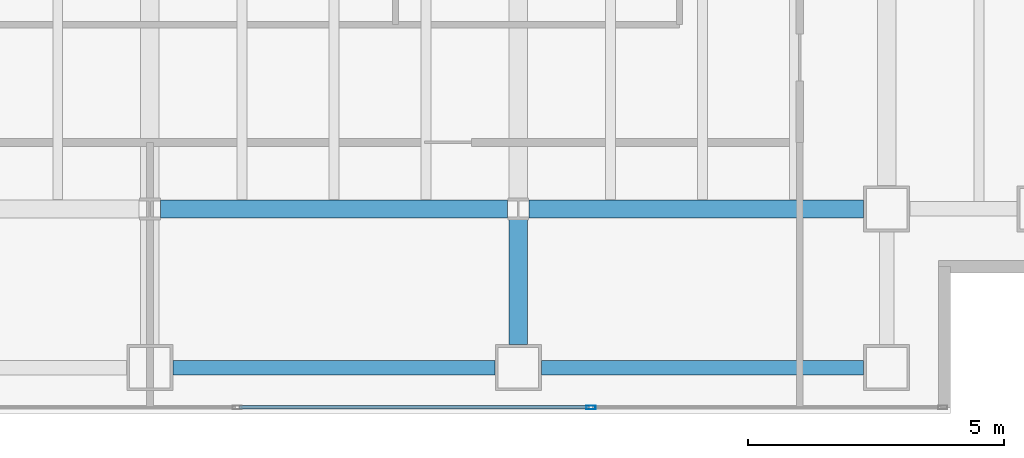
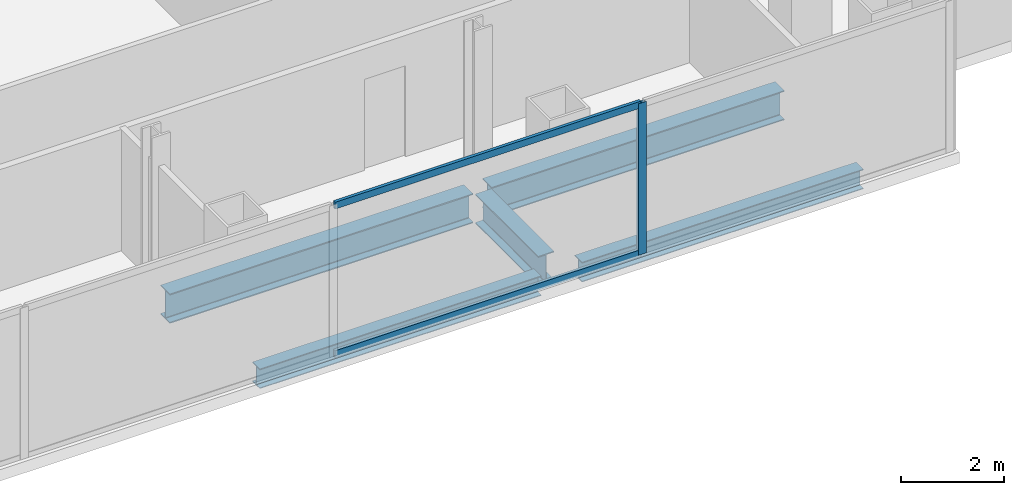
# One storey, part 9 of 23: 5 beams, 3 members, 1 element without a shape of its own.
"""IFC4 building model written with IfcOpenShell, lengths in metres."""

from ifc_helpers import new_model, si_unit, direction, frame, origin, origin_2d, place, context, subcontext, project, spatial, hollow_rectangle, i_section, extrude, material, material_profile, profile_set, type_object, element, aggregate, save


model = new_model("IFC4")

# Units and contexts
model_context = context("Model", 3, precision=1e-05, world=origin(), true_north=direction((0.0, 1.0)))
body_context = subcontext(model_context, "Body", "Model", "MODEL_VIEW")
ifc_project = project(units=[si_unit("LENGTHUNIT", "METRE"), si_unit("AREAUNIT", "SQUARE_METRE"), si_unit("VOLUMEUNIT", "CUBIC_METRE"), si_unit("PLANEANGLEUNIT", "RADIAN"), si_unit("MASSUNIT", "GRAM", prefix="KILO")], contexts=[model_context])

# Site, building, storey
site_placement = place(None, origin())
site = spatial("IfcSite", under=ifc_project, at=site_placement, CompositionType="ELEMENT")
building_placement = place(site_placement, origin())
building = spatial("IfcBuilding", under=site, at=building_placement, Name="Cobrela Telecom Tower", CompositionType="ELEMENT")
storey_placement = place(building_placement, frame((0.0, 0.0, 125.300048828125)))
storey = spatial("IfcBuildingStorey", under=building, at=storey_placement, Name="L31", CompositionType="ELEMENT", Elevation=125.300048828125)

# Beams
ifc_material_1 = material(Name="Steel ASTM A992 Grade 50", Category="steel")
ifc_material_profile_1 = material_profile(ifc_material_1, i_section(OverallWidth=0.35595703125, OverallDepth=0.696044921875, WebThickness=0.015380859375, FlangeThickness=0.024658203125, FilletRadius=0.01806640625, at=origin_2d()), Name="W27X146")
ifc_profile_set_1 = profile_set([ifc_material_profile_1], Name="Steel ASTM A992 Grade 50")
beam_type_1 = type_object("IfcBeamType", Name="BM-GIRD-05", PredefinedType="USERDEFINED", material=ifc_profile_set_1)
beam_1_placement = place(storey_placement, frame((29.009521484375, 7.199951171875, -0.6181640625), z_axis=(1.0, 0.0, 0.0), x_axis=(0.0, 1.0, 0.0)))
element("IfcBeam", 1, at=beam_1_placement, inside=storey, type_object=beam_type_1, Name="L31 Primary Girder X10", ObjectType="GIRDER", PredefinedType="USERDEFINED", context=body_context, shape_type="SweptSolid", body=[
    extrude(i_section(OverallWidth=0.35595703125, OverallDepth=0.696044921875, WebThickness=0.015380859375, FlangeThickness=0.024658203125, FilletRadius=0.01806640625, at=origin_2d()), origin(), (0.0, 0.0, 1.0), 6.781005859375),
])
beam_2_placement = place(storey_placement, frame((36.20947265625, 7.199951171875, -0.6181640625), z_axis=(1.0, 0.0, 0.0), x_axis=(0.0, 1.0, 0.0)))
element("IfcBeam", 2, at=beam_2_placement, inside=storey, type_object=beam_type_1, Name="L31 Primary Girder X11", ObjectType="GIRDER", PredefinedType="USERDEFINED", context=body_context, shape_type="SweptSolid", body=[
    extrude(i_section(OverallWidth=0.35595703125, OverallDepth=0.696044921875, WebThickness=0.015380859375, FlangeThickness=0.024658203125, FilletRadius=0.01806640625, at=origin_2d()), origin(), (0.0, 0.0, 1.0), 6.53564453125),
])
beam_3_placement = place(storey_placement, frame((36.0, 4.554931640625, -0.6181640625), z_axis=(0.0, 1.0, 0.0), x_axis=(-1.0, 0.0, 0.0)))
element("IfcBeam", 3, at=beam_3_placement, inside=storey, type_object=beam_type_1, Name="L31 Primary Girder Y49", ObjectType="GIRDER", PredefinedType="USERDEFINED", context=body_context, shape_type="SweptSolid", body=[
    extrude(i_section(OverallWidth=0.35595703125, OverallDepth=0.696044921875, WebThickness=0.015380859375, FlangeThickness=0.024658203125, FilletRadius=0.01806640625, at=origin_2d()), origin(), (0.0, 0.0, 1.0), 2.435546875),
])
ifc_material_profile_2 = material_profile(ifc_material_1, i_section(OverallWidth=0.281982421875, OverallDepth=0.467041015625, WebThickness=0.01220703125, FlangeThickness=0.01953125, FilletRadius=0.012939453125, at=origin_2d()), Name="W18X86")
ifc_profile_set_2 = profile_set([ifc_material_profile_2], Name="Steel ASTM A992 Grade 50")
beam_type_2 = type_object("IfcBeamType", Name="BM-SPAND-04", PredefinedType="SPANDREL", material=ifc_profile_set_2)
for number, where, z_axis, x_axis, name in (
    (4, (29.2548828125, 4.10009765625, -0.503662109375), (1.0, 0.0, 0.0), (0.0, 1.0, 0.0), "L31 Perimeter Spandrel X04"),
    (5, (36.455078125, 4.10009765625, -0.503662109375), (1.0, 0.0, 0.0), (0.0, 1.0, 0.0), "L31 Perimeter Spandrel X05"),
):
    element("IfcBeam", number, at=place(storey_placement, frame(where, z_axis=z_axis, x_axis=x_axis)), inside=storey, type_object=beam_type_2, Name=name, PredefinedType="SPANDREL", context=body_context, shape_type="SweptSolid", body=[
        extrude(i_section(OverallWidth=0.281982421875, OverallDepth=0.467041015625, WebThickness=0.01220703125, FlangeThickness=0.01953125, FilletRadius=0.012939453125, at=origin_2d()), origin(), (0.0, 0.0, 1.0), 6.2900390625),
    ])

# Curtain wall, members
ifc_material_2 = material(Name="Anodized Bronze Aluminium 6063-T6", Category="aluminium")
curtain_wall_type = type_object("IfcCurtainWallType", Name="CW-SYS-TEL", PredefinedType="USERDEFINED", material=ifc_material_2)
curtain_wall_placement = place(storey_placement, origin())
curtain_wall = element("IfcCurtainWall", 6, at=curtain_wall_placement, inside=storey, type_object=curtain_wall_type, Name="L31 Unitised Bronze Curtain Wall 17", ObjectType="UNITISED CURTAIN WALL", PredefinedType="USERDEFINED")
ifc_material_profile_3 = material_profile(ifc_material_2, hollow_rectangle(XDim=0.074951171875, YDim=0.179931640625, WallThickness=0.00390625, at=origin_2d()), Name="ALU 75x180x4")
ifc_profile_set_3 = profile_set([ifc_material_profile_3], Name="Anodized Bronze Aluminium 6063-T6")
member_type_1 = type_object("IfcMemberType", Name="CW-SYS-TEL-MUL", PredefinedType="MULLION", material=ifc_profile_set_3)
member_1_placement = place(storey_placement, frame((37.419921875, 3.320068359375, 0.0), z_axis=(0.0, 0.0, 1.0), x_axis=(0.0, -1.0, 0.0)))
member_1 = element("IfcMember", 7, at=member_1_placement, type_object=member_type_1, Name="CW-TEL mullion 2", PredefinedType="MULLION", context=body_context, shape_type="SweptSolid", body=[
    extrude(hollow_rectangle(XDim=0.074951171875, YDim=0.179931640625, WallThickness=0.00390625, at=origin_2d()), origin(), (0.0, 0.0, 1.0), 3.579833984375),
])
ifc_material_profile_4 = material_profile(ifc_material_2, hollow_rectangle(XDim=0.070068359375, YDim=0.159912109375, WallThickness=0.00390625, at=origin_2d()), Name="ALU 70x160x4")
ifc_profile_set_4 = profile_set([ifc_material_profile_4], Name="Anodized Bronze Aluminium 6063-T6")
member_type_2 = type_object("IfcMemberType", Name="CW-SYS-TEL-TRN", PredefinedType="USERDEFINED", material=ifc_profile_set_4)
member_2_placement = place(storey_placement, frame((37.382568359375, 3.320068359375, 0.034912109375), z_axis=(-1.0, 0.0, 0.0), x_axis=(0.0, -1.0, 0.0)))
member_2 = element("IfcMember", 8, at=member_2_placement, type_object=member_type_2, Name="CW-TEL transom 2.1", ObjectType="TRANSOM", PredefinedType="USERDEFINED", context=body_context, shape_type="SweptSolid", body=[
    extrude(hollow_rectangle(XDim=0.070068359375, YDim=0.159912109375, WallThickness=0.00390625, at=origin_2d()), origin(), (0.0, 0.0, 1.0), 6.8349609375),
])
member_3_placement = place(storey_placement, frame((37.382568359375, 3.320068359375, 3.544921875), z_axis=(-1.0, 0.0, 0.0), x_axis=(0.0, -1.0, 0.0)))
member_3 = element("IfcMember", 9, at=member_3_placement, type_object=member_type_2, Name="CW-TEL transom 2.2", ObjectType="TRANSOM", PredefinedType="USERDEFINED", context=body_context, shape_type="SweptSolid", body=[
    extrude(hollow_rectangle(XDim=0.070068359375, YDim=0.159912109375, WallThickness=0.00390625, at=origin_2d()), origin(), (0.0, 0.0, 1.0), 6.8349609375),
])
aggregate(curtain_wall, [member_1, member_2, member_3])

save(model, "model.ifc")
